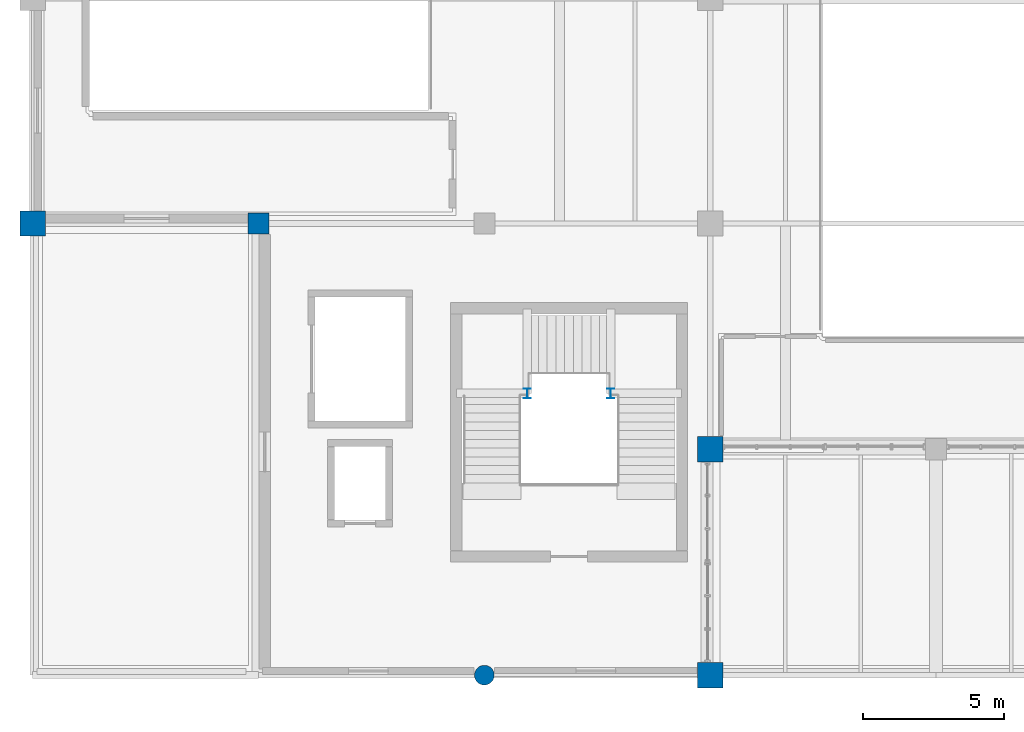
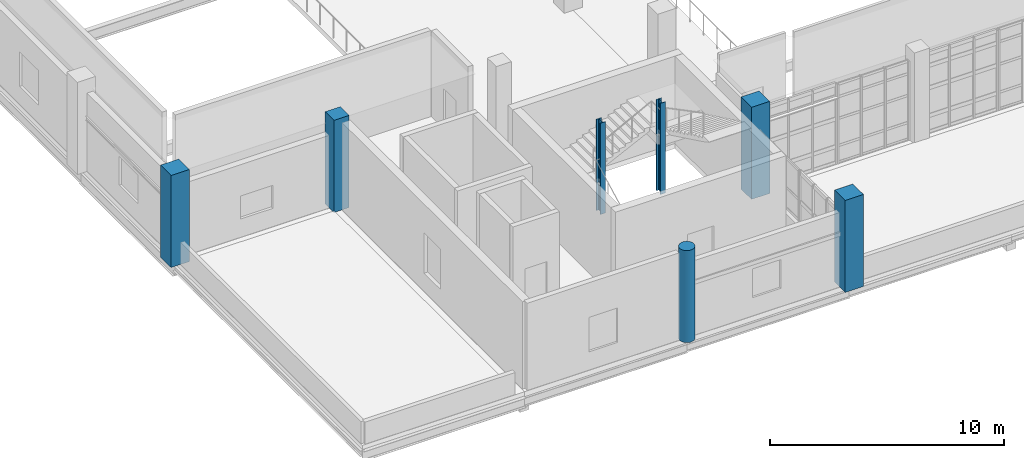
# One storey, part 1 of 102: 7 columns.
"""IFC4 building model written with IfcOpenShell, lengths in metres."""

from ifc_helpers import new_model, si_unit, derived_unit, direction, frame, origin, origin_2d, place, context, subcontext, project, spatial, rectangle, circle, i_section, extrude, material, material_profile, profile_set, type_object, element, save


model = new_model("IFC4")

# Units and contexts
model_context = context("Model", 3, precision=1e-05, world=origin(), true_north=direction((0.0, 1.0)))
body_context = subcontext(model_context, "Body", "Model", "MODEL_VIEW")
ifc_project = project(units=[si_unit("LENGTHUNIT", "METRE"), si_unit("AREAUNIT", "SQUARE_METRE"), si_unit("VOLUMEUNIT", "CUBIC_METRE"), si_unit("PLANEANGLEUNIT", "RADIAN"), si_unit("MASSUNIT", "GRAM", prefix="KILO"), derived_unit("THERMALTRANSMITTANCEUNIT", [(si_unit("POWERUNIT", "WATT"), 1), (si_unit("LENGTHUNIT", "METRE"), -2), (si_unit("THERMODYNAMICTEMPERATUREUNIT", "KELVIN"), -1)])], contexts=[model_context])

# Site, building, storey
site_placement = place(None, origin())
site = spatial("IfcSite", under=ifc_project, at=site_placement, CompositionType="ELEMENT")
building_placement = place(site_placement, origin())
building = spatial("IfcBuilding", under=site, at=building_placement, Name="Nallur Shell Playhouse", CompositionType="ELEMENT")
storey_placement = place(building_placement, frame((0.0, 0.0, 15.0)))
storey = spatial("IfcBuildingStorey", under=building, at=storey_placement, Name="L04", CompositionType="ELEMENT", Elevation=15.0)

# Columns
ifc_material_1 = material(Name="Concrete M40", Category="concrete")
ifc_material_profile_1 = material_profile(ifc_material_1, rectangle(XDim=0.75, YDim=0.75, at=origin_2d()), Name="RC 750x750")
ifc_profile_set_1 = profile_set([ifc_material_profile_1], Name="Concrete M40")
column_type_1 = type_object("IfcColumnType", Name="CL-RC-750", PredefinedType="COLUMN", material=ifc_profile_set_1)
column_1_placement = place(storey_placement, frame((24.0, 24.0, 0.0), z_axis=(0.0, 0.0, 1.0), x_axis=(1.0, 0.0, 0.0)))
element("IfcColumn", 1, at=column_1_placement, inside=storey, type_object=column_type_1, Name="Column 3-C (L04)", PredefinedType="COLUMN", context=body_context, shape_type="SweptSolid", body=[
    extrude(rectangle(XDim=0.75, YDim=0.75, at=origin_2d()), origin(), (0.0, 0.0, 1.0), 4.800048828125),
])
ifc_material_profile_2 = material_profile(ifc_material_1, rectangle(XDim=0.89990234375, YDim=0.89990234375, at=origin_2d()), Name="RC 900x900")
ifc_profile_set_2 = profile_set([ifc_material_profile_2], Name="Concrete M40")
column_type_2 = type_object("IfcColumnType", Name="CL-RC-900", PredefinedType="COLUMN", material=ifc_profile_set_2)
for number, where, z_axis, x_axis, name in (
    (2, (16.0, 24.0, 0.0), (0.0, 0.0, 1.0), (1.0, 0.0, 0.0), "Column 2-C (L04)"),
    (3, (40.0, 8.0, 0.0), (0.0, 0.0, 1.0), (1.0, 0.0, 0.0), "Column 5-A (L04)"),
    (4, (40.0, 16.0, 0.0), (0.0, 0.0, 1.0), (1.0, 0.0, 0.0), "Column 5-B (L04)"),
):
    element("IfcColumn", number, at=place(storey_placement, frame(where, z_axis=z_axis, x_axis=x_axis)), inside=storey, type_object=column_type_2, Name=name, PredefinedType="COLUMN", context=body_context, shape_type="SweptSolid", body=[
        extrude(rectangle(XDim=0.89990234375, YDim=0.89990234375, at=origin_2d()), origin(), (0.0, 0.0, 1.0), 4.800048828125),
    ])
ifc_material_profile_3 = material_profile(ifc_material_1, circle(Radius=0.35009765625, at=origin_2d()), Name="RC D700")
ifc_profile_set_3 = profile_set([ifc_material_profile_3], Name="Concrete M40")
column_type_3 = type_object("IfcColumnType", Name="CL-RCD-700", PredefinedType="COLUMN", material=ifc_profile_set_3)
column_2_placement = place(storey_placement, frame((32.0, 8.0, 0.0), z_axis=(0.0, 0.0, 1.0), x_axis=(1.0, 0.0, 0.0)))
element("IfcColumn", 5, at=column_2_placement, inside=storey, type_object=column_type_3, Name="Column 4-A (L04)", PredefinedType="COLUMN", context=body_context, shape_type="SweptSolid", body=[
    extrude(circle(Radius=0.35009765625, at=origin_2d()), origin(), (0.0, 0.0, 1.0), 4.800048828125),
])
ifc_material_2 = material(Name="Steel E350", Category="steel")
ifc_material_profile_4 = material_profile(ifc_material_2, i_section(OverallWidth=0.25, OverallDepth=0.35009765625, WebThickness=0.010009765625, FlangeThickness=0.01171875, FilletRadius=0.011962890625, at=origin_2d()), Name="ISHB 350")
ifc_profile_set_4 = profile_set([ifc_material_profile_4], Name="Steel E350")
column_type_4 = type_object("IfcColumnType", Name="CL-ST-ISHB350", PredefinedType="COLUMN", material=ifc_profile_set_4)
for number, where, z_axis, x_axis, name in (
    (6, (33.52001953125, 17.97998046875, 0.0), (0.0, 0.0, 1.0), (1.0, 0.0, 0.0), "Column STW-JC-1-W (L04)"),
    (7, (36.47998046875, 17.97998046875, 0.0), (0.0, 0.0, 1.0), (1.0, 0.0, 0.0), "Column STW-JC-1-E (L04)"),
):
    element("IfcColumn", number, at=place(storey_placement, frame(where, z_axis=z_axis, x_axis=x_axis)), inside=storey, type_object=column_type_4, Name=name, PredefinedType="COLUMN", context=body_context, shape_type="SweptSolid", body=[
        extrude(i_section(OverallWidth=0.25, OverallDepth=0.35009765625, WebThickness=0.010009765625, FlangeThickness=0.01171875, FilletRadius=0.011962890625, at=origin_2d()), origin(), (0.0, 0.0, 1.0), 4.760009765625),
    ])

save(model, "model.ifc")
